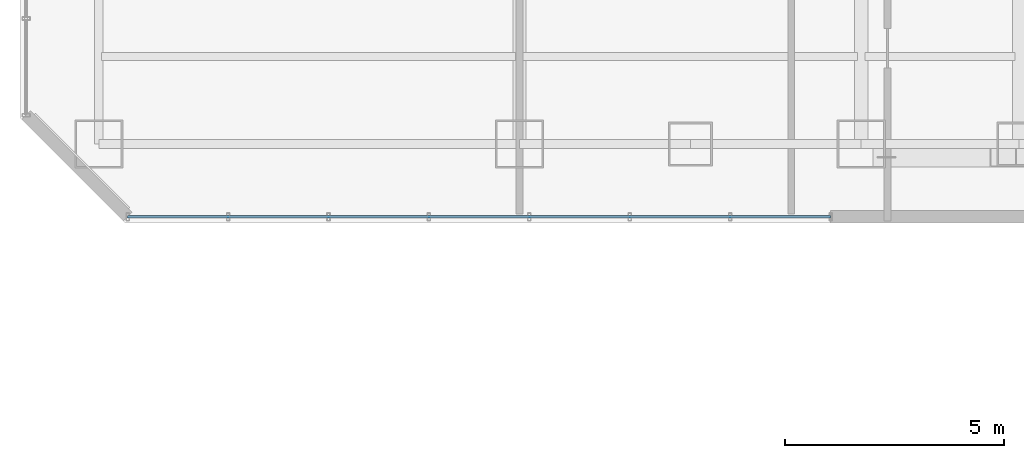
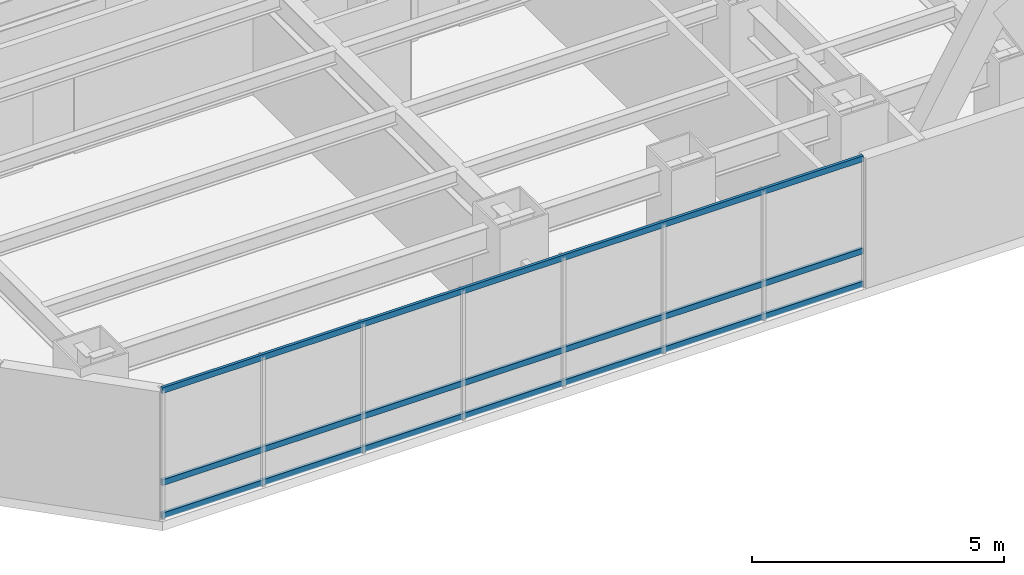
# One storey, part 3 of 33: 3 members, 1 element without a shape of its own.
"""IFC4 building model written with IfcOpenShell, lengths in metres."""

import ifcopenshell
import ifcopenshell.guid

model = None  # the IFC model being written
_history = None  # IfcOwnerHistory: only IFC2X3 demands one
_inside = {}  # id of a spatial element -> (the spatial element, [elements in it])
_under = {}  # id of a project, library or spatial element -> (it, [spatial elements below it])
_declared = {}  # id of a project -> (the project, [libraries it declares])
_typed = {}  # id of a type object -> (the type object, [elements of that type])
_made_of = {}  # id of a material, layer set ... -> (it, [elements and type objects made of it])


def new_model(schema):
    """Start an empty IFC model of exactly this schema.

    Asked for "IFC4X3", IfcOpenShell would pick the latest addendum, in which some entities
    have other attributes; the version numbers below select the first issue.
    IFC2X3 requires an IfcOwnerHistory on every rooted entity: one is made here for all.
    """
    global model, _history
    if schema == "IFC4X3":
        model = ifcopenshell.file(schema_version=(4, 3, 0, 0))
    else:
        model = ifcopenshell.file(schema=schema)
    _inside.clear()
    _under.clear()
    _declared.clear()
    _typed.clear()
    _made_of.clear()
    _history = None
    if model.schema == "IFC2X3":
        org = make("IfcOrganization", Name="unknown")
        user = make(
            "IfcPersonAndOrganization",
            ThePerson=make("IfcPerson", FamilyName="unknown"),
            TheOrganization=org,
        )
        app = make(
            "IfcApplication",
            ApplicationDeveloper=org,
            Version="unknown",
            ApplicationFullName="unknown",
            ApplicationIdentifier="unknown",
        )
        _history = make(
            "IfcOwnerHistory",
            OwningUser=user,
            OwningApplication=app,
            ChangeAction="ADDED",
            CreationDate=0,
        )
    return model


def make(cls, **values):
    """One entity of the class cls with the attributes given. An attribute that is None is left unset."""
    return model.create_entity(
        cls, **{name: value for name, value in values.items() if value is not None}
    )


def rooted(cls, **values):
    """An entity with a GlobalId (a new one), such as an element, a storey or a relation."""
    return make(cls, GlobalId=ifcopenshell.guid.new(), OwnerHistory=_history, **values)


def si_unit(unit_type, name, prefix=None):
    """IfcSIUnit, for example si_unit("LENGTHUNIT", "METRE", prefix="MILLI")."""
    return make("IfcSIUnit", UnitType=unit_type, Prefix=prefix, Name=name)


def assignment(units):
    """IfcUnitAssignment: the units of a project."""
    return None if units is None else make("IfcUnitAssignment", Units=units)


def point(xyz):
    """IfcCartesianPoint."""
    return None if xyz is None else make("IfcCartesianPoint", Coordinates=xyz)


def direction(xyz):
    """IfcDirection."""
    return None if xyz is None else make("IfcDirection", DirectionRatios=xyz)


def frame(location, z_axis=None, x_axis=None):
    """IfcAxis2Placement3D, a coordinate frame: its origin and axes. An axis left out is left unset."""
    return make(
        "IfcAxis2Placement3D",
        Location=point(location),
        Axis=direction(z_axis),
        RefDirection=direction(x_axis),
    )


def frame_2d(location, x_axis=None):
    """IfcAxis2Placement2D, a coordinate frame in the plane: its origin and x axis."""
    return make(
        "IfcAxis2Placement2D", Location=point(location), RefDirection=direction(x_axis)
    )


def origin():
    """The frame at (0, 0, 0) with its axes left unset."""
    return frame((0.0, 0.0, 0.0))


def origin_2d():
    """The frame at (0, 0) in the plane with its x axis left unset."""
    return frame_2d((0.0, 0.0))


def place(relative_to, where):
    """IfcLocalPlacement: puts the frame where relative to a parent placement (None: the world)."""
    return make(
        "IfcLocalPlacement", PlacementRelTo=relative_to, RelativePlacement=where
    )


def context(
    kind, dimensions, precision=None, world=None, true_north=None, identifier=None
):
    """IfcGeometricRepresentationContext, for example the 3D "Model" context."""
    return make(
        "IfcGeometricRepresentationContext",
        ContextIdentifier=identifier,
        ContextType=kind,
        CoordinateSpaceDimension=dimensions,
        Precision=precision,
        WorldCoordinateSystem=world,
        TrueNorth=true_north,
    )


def subcontext(parent, identifier, kind, view, scale=None):
    """IfcGeometricRepresentationSubContext, for example "Body" below "Model"."""
    return make(
        "IfcGeometricRepresentationSubContext",
        ContextIdentifier=identifier,
        ContextType=kind,
        ParentContext=parent,
        TargetScale=scale,
        TargetView=view,
    )


def project(units=None, contexts=None):
    """IfcProject with its units and contexts."""
    return rooted(
        "IfcProject",
        Name="project",
        RepresentationContexts=contexts,
        UnitsInContext=assignment(units),
    )


def spatial(cls, under=None, at=None, **own):
    """A site, building, storey or space (cls), placed at a placement, below another one or the project."""
    s = rooted(cls, ObjectPlacement=at, **own)
    if under is not None:
        _under.setdefault(under.id(), (under, []))[1].append(s)
    return s


def profile(cls, at=None, kind="AREA", **sizes):
    """A parametric profile (cls). Its sizes go by their IFC names, for example OverallWidth=200.0."""
    return make(cls, ProfileType=kind, Position=at, **sizes)


def hollow_rectangle(**sizes):
    """IfcRectangleHollowProfileDef."""
    return profile("IfcRectangleHollowProfileDef", **sizes)


def extrude(swept, where, along, depth):
    """IfcExtrudedAreaSolid: the profile swept, set in the frame where, extruded along a direction by depth."""
    return make(
        "IfcExtrudedAreaSolid",
        SweptArea=swept,
        Position=where,
        ExtrudedDirection=direction(along),
        Depth=depth,
    )


def shape(context_of_items, identifier, shape_type, items):
    """IfcShapeRepresentation: the items that make up one representation, for example the "Body"."""
    return make(
        "IfcShapeRepresentation",
        ContextOfItems=context_of_items,
        RepresentationIdentifier=identifier,
        RepresentationType=shape_type,
        Items=items,
    )


def material(Name=None, Category=None):
    """IfcMaterial."""
    return make("IfcMaterial", Name=Name, Category=Category)


def layer(
    of_material, thickness, ventilated=None, Name=None, Category=None, Priority=None
):
    """IfcMaterialLayer: one layer of a wall or slab, of a material (None: an air gap)."""
    return make(
        "IfcMaterialLayer",
        Material=of_material,
        LayerThickness=thickness,
        IsVentilated=ventilated,
        Name=Name,
        Category=Category,
        Priority=Priority,
    )


def layer_set(layers, Name=None):
    """IfcMaterialLayerSet."""
    return make("IfcMaterialLayerSet", MaterialLayers=layers, LayerSetName=Name)


def material_profile(
    of_material, cross_section, Name=None, Category=None, Priority=None
):
    """IfcMaterialProfile: a cross section and its material."""
    return make(
        "IfcMaterialProfile",
        Name=Name,
        Material=of_material,
        Profile=cross_section,
        Priority=Priority,
        Category=Category,
    )


def profile_set(profiles, Name=None, composite=None):
    """IfcMaterialProfileSet."""
    return make(
        "IfcMaterialProfileSet",
        Name=Name,
        MaterialProfiles=profiles,
        CompositeProfile=composite,
    )


def made_of(thing, what):
    """Note that an element or type object is made of a material, layer set ...; save() writes the relation."""
    if what is not None:
        _made_of.setdefault(what.id(), (what, []))[1].append(thing)
    return thing


def type_object(cls, material=None, **own):
    """A type object (cls), such as IfcWallType, which elements share."""
    return made_of(rooted(cls, **own), material)


def element(
    cls,
    number,
    at=None,
    inside=None,
    cuts=None,
    type_object=None,
    material=None,
    context=None,
    identifier="Body",
    shape_type=None,
    held_by="IfcProductDefinitionShape",
    body=None,
    shapes=None,
    **own,
):
    """One element of the class cls, such as IfcWall. Its Tag is "e" and its number.

    at: its placement. inside: the storey or other place that contains it. cuts: it is an
    opening in that element (IfcRelVoidsElement). A single representation is given by context,
    identifier, shape_type and body (its items); several are given by shapes. held_by: the class
    of the entity that holds the representations. save() writes the other relations.
    """
    e = rooted(cls, Tag="e%d" % number, ObjectPlacement=at, **own)
    if body is not None:
        shapes = [shape(context, identifier, shape_type, body)]
    if shapes is not None:
        e.Representation = make(held_by, Representations=shapes)
    if inside is not None:
        _inside.setdefault(inside.id(), (inside, []))[1].append(e)
    if cuts is not None:
        rooted(
            "IfcRelVoidsElement", RelatingBuildingElement=cuts, RelatedOpeningElement=e
        )
    if type_object is not None:
        _typed.setdefault(type_object.id(), (type_object, []))[1].append(e)
    return made_of(e, material)


def aggregate(whole, parts):
    """IfcRelAggregates: a whole, such as a stair, and the parts it consists of."""
    return rooted("IfcRelAggregates", RelatingObject=whole, RelatedObjects=parts)


def save(model, path):
    """Write the relations noted so far, then the file.

    IfcRelAggregates (storeys below a building ...), IfcRelContainedInSpatialStructure (elements
    in a storey), IfcRelDefinesByType, IfcRelAssociatesMaterial and IfcRelDeclares: one each for
    every whole, place, type object, material and project.
    """
    for whole, parts in _under.values():
        aggregate(whole, parts)
    for where, things in _inside.values():
        rooted(
            "IfcRelContainedInSpatialStructure",
            RelatedElements=things,
            RelatingStructure=where,
        )
    for kind, things in _typed.values():
        rooted("IfcRelDefinesByType", RelatedObjects=things, RelatingType=kind)
    for what, things in _made_of.values():
        rooted("IfcRelAssociatesMaterial", RelatedObjects=things, RelatingMaterial=what)
    for by, libraries in _declared.values():
        rooted("IfcRelDeclares", RelatingContext=by, RelatedDefinitions=libraries)
    model.write(path)


model = new_model("IFC4")

# Units and contexts
model_context = context("Model", 3, precision=1e-05, world=origin(), true_north=direction((0.0, 1.0)))
body_context = subcontext(model_context, "Body", "Model", "MODEL_VIEW")
ifc_project = project(units=[si_unit("LENGTHUNIT", "METRE"), si_unit("AREAUNIT", "SQUARE_METRE"), si_unit("VOLUMEUNIT", "CUBIC_METRE"), si_unit("PLANEANGLEUNIT", "RADIAN"), si_unit("MASSUNIT", "GRAM", prefix="KILO")], contexts=[model_context])

# Site, building, storey
site_placement = place(None, origin())
site = spatial("IfcSite", under=ifc_project, at=site_placement, CompositionType="ELEMENT")
building_placement = place(site_placement, origin())
building = spatial("IfcBuilding", under=site, at=building_placement, Name="Hatsunagi Terrace Concourse", CompositionType="ELEMENT")
storey_placement = place(building_placement, frame((0.0, 0.0, 53.35009765625)))
storey = spatial("IfcBuildingStorey", under=building, at=storey_placement, Name="L13", CompositionType="ELEMENT", Elevation=53.35009765625)

# Curtain wall, members
ifc_material_1 = material(Name="Anodised Aluminium Alloy 6063-T5", Category="aluminium")
ifc_layer = layer(ifc_material_1, 0.199951171875)
ifc_layer_set = layer_set([ifc_layer], Name="HotelFacade_CW02")
curtain_wall_type = type_object("IfcCurtainWallType", Name="HotelFacade_CW02", PredefinedType="NOTDEFINED", material=ifc_layer_set)
curtain_wall_placement = place(storey_placement, origin())
curtain_wall = element("IfcCurtainWall", 1, at=curtain_wall_placement, inside=storey, type_object=curtain_wall_type, Name="Unitised Curtain Wall CW-02 CW-L13-07", PredefinedType="NOTDEFINED")
ifc_material_2 = material(Name="Anodised Aluminium Alloy 6063-T5", Category="aluminium")
ifc_material_profile = material_profile(ifc_material_2, hollow_rectangle(XDim=0.06494140625, YDim=0.139892578125, WallThickness=0.00390625, at=origin_2d()), Name="ALU-TRN-140x65x4")
ifc_profile_set = profile_set([ifc_material_profile], Name="Anodised Aluminium Alloy 6063-T5")
member_type = type_object("IfcMemberType", Name="CurtainWallTransom_140x65", PredefinedType="USERDEFINED", material=ifc_profile_set)
member_1_placement = place(storey_placement, frame((18.5, 23.5400390625, 0.0498046875), z_axis=(-1.0, 0.0, 0.0), x_axis=(0.0, -1.0, 0.0)))
member_1 = element("IfcMember", 2, at=member_1_placement, type_object=member_type, Name="Curtain Wall Transom TRN-02", ObjectType="TRANSOM", PredefinedType="USERDEFINED", context=body_context, shape_type="SweptSolid", body=[
    extrude(hollow_rectangle(XDim=0.06494140625, YDim=0.139892578125, WallThickness=0.00390625, at=origin_2d()), origin(), (0.0, 0.0, 1.0), 16.0419921875),
])
member_2_placement = place(storey_placement, frame((18.5, 23.5400390625, 0.849853515625), z_axis=(-1.0, 0.0, 0.0), x_axis=(0.0, -1.0, 0.0)))
member_2 = element("IfcMember", 3, at=member_2_placement, type_object=member_type, Name="Curtain Wall Transom TRN-02", ObjectType="TRANSOM", PredefinedType="USERDEFINED", context=body_context, shape_type="SweptSolid", body=[
    extrude(hollow_rectangle(XDim=0.06494140625, YDim=0.139892578125, WallThickness=0.00390625, at=origin_2d()), origin(), (0.0, 0.0, 1.0), 16.0419921875),
])
member_3_placement = place(storey_placement, frame((18.5, 23.5400390625, 3.079833984375), z_axis=(-1.0, 0.0, 0.0), x_axis=(0.0, -1.0, 0.0)))
member_3 = element("IfcMember", 4, at=member_3_placement, type_object=member_type, Name="Curtain Wall Transom TRN-02", ObjectType="TRANSOM", PredefinedType="USERDEFINED", context=body_context, shape_type="SweptSolid", body=[
    extrude(hollow_rectangle(XDim=0.06494140625, YDim=0.139892578125, WallThickness=0.00390625, at=origin_2d()), origin(), (0.0, 0.0, 1.0), 16.0419921875),
])
aggregate(curtain_wall, [member_1, member_2, member_3])

save(model, "model.ifc")
